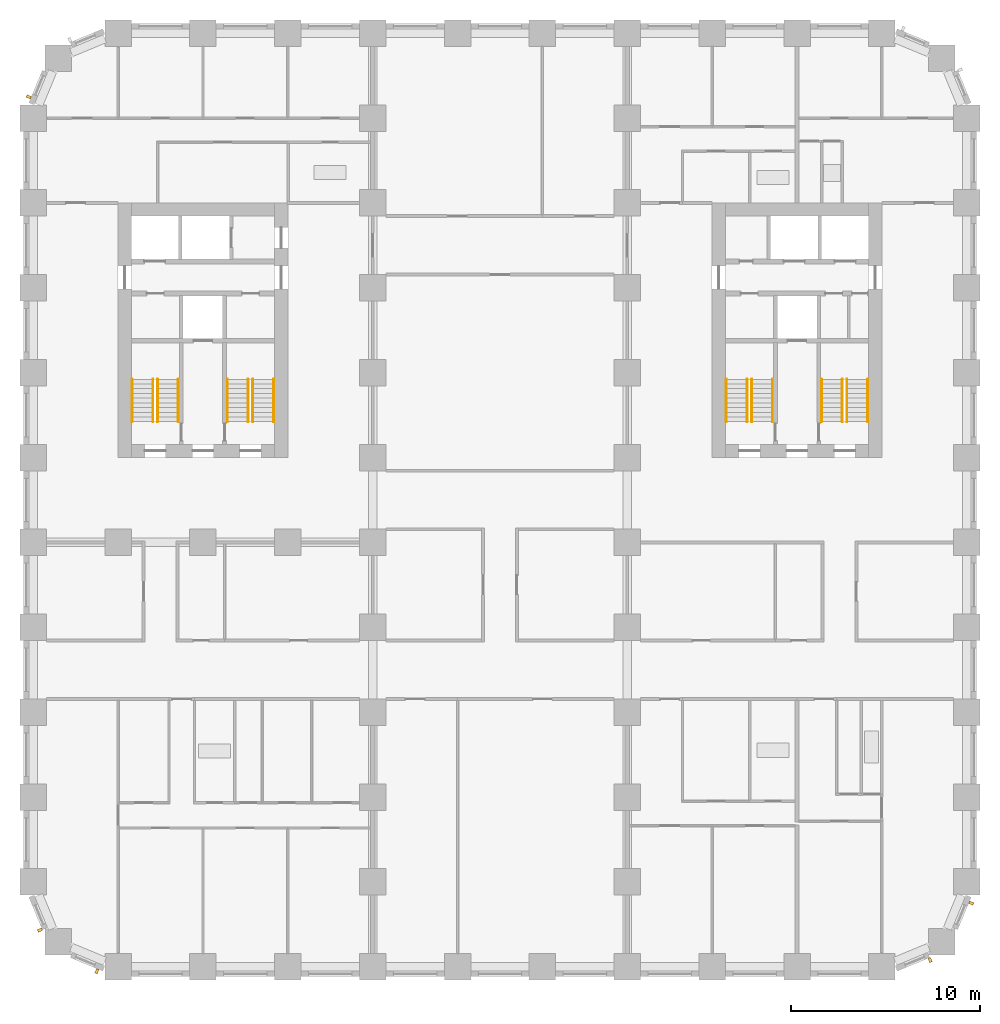
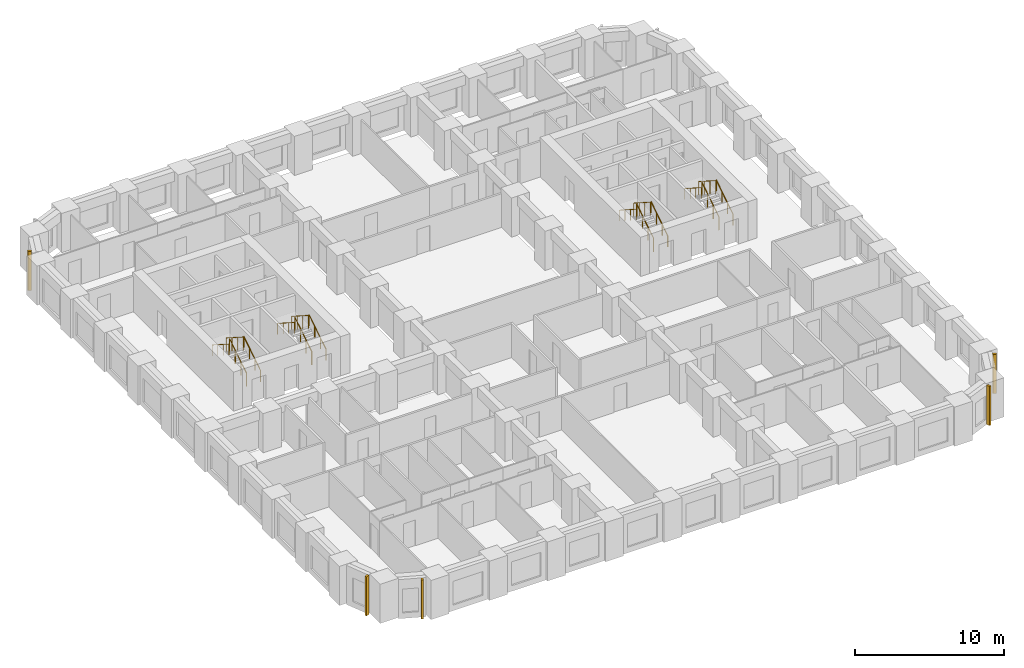
# One storey, part 10 of 12: 16 railings, 5 shading devices.
"""IFC4 building model written with IfcOpenShell, lengths in metres."""

from ifc_helpers import new_model, si_unit, direction, frame, origin, origin_2d, place, context, subcontext, project, spatial, rectangle, circle, extrude, material, type_object, element, save


model = new_model("IFC4")

# Units and contexts
model_context = context("Model", 3, precision=1e-05, world=origin(), true_north=direction((0.0, 1.0)))
body_context = subcontext(model_context, "Body", "Model", "MODEL_VIEW")
ifc_project = project(units=[si_unit("LENGTHUNIT", "METRE"), si_unit("AREAUNIT", "SQUARE_METRE"), si_unit("VOLUMEUNIT", "CUBIC_METRE"), si_unit("PLANEANGLEUNIT", "RADIAN"), si_unit("MASSUNIT", "GRAM", prefix="KILO")], contexts=[model_context])

# Site, building, storey
site_placement = place(None, origin())
site = spatial("IfcSite", under=ifc_project, at=site_placement, CompositionType="ELEMENT")
building_placement = place(site_placement, origin())
building = spatial("IfcBuilding", under=site, at=building_placement, Name="Girih Gate Residences", CompositionType="ELEMENT")
storey_placement = place(building_placement, frame((0.0, 0.0, 65.60009765625)))
storey = spatial("IfcBuildingStorey", under=building, at=storey_placement, Name="L17", CompositionType="ELEMENT", Elevation=65.60009765625)

# Shading devices
ifc_material_1 = material(Name="Precast concrete C50/60", Category="concrete")
shading_device_type = type_object("IfcShadingDeviceType", Name="Corner rib 150x250", PredefinedType="USERDEFINED", material=ifc_material_1)
for number, where, z_axis, x_axis, name in (
    (1, (0.35498046875, 1.9443359375, 0.0), (0.0, 0.0, 1.0), (0.382683432365, -0.923879532511, 0.0), "Corner rib SW0000_0045.0"),
    (2, (3.376220703125, -0.238037109375, 0.0), (0.0, 0.0, 1.0), (0.923879532511, -0.382683432365, 0.0), "Corner rib SW0013_0013.0"),
    (3, (47.5556640625, 0.35498046875, 0.0), (0.0, 0.0, 1.0), (0.923879532511, 0.382683432365, 0.0), "Corner rib SE0450_0000.0"),
    (4, (49.738037109375, 3.376220703125, 0.0), (0.0, 0.0, 1.0), (0.382683432365, 0.923879532511, 0.0), "Corner rib SE0482_0013.0"),
    (5, (-0.238037109375, 46.123779296875, 0.0), (0.0, 0.0, 1.0), (-0.382683432365, -0.923879532511, 0.0), "Corner rib NW0013_0482.0"),
):
    element("IfcShadingDevice", number, at=place(storey_placement, frame(where, z_axis=z_axis, x_axis=x_axis)), inside=storey, type_object=shading_device_type, Name=name, ObjectType="FIN", PredefinedType="USERDEFINED", context=body_context, shape_type="SweptSolid", body=[
        extrude(rectangle(XDim=0.14990234375, YDim=0.25, at=origin_2d()), origin(), (0.0, 0.0, 1.0), 3.199951171875),
    ])

# Railings
ifc_material_2 = material(Name="Stainless steel", Category="steel")
railing_type_1 = type_object("IfcRailingType", Name="Stair guard 1100", PredefinedType="GUARDRAIL", material=ifc_material_2)
railing_1_placement = place(storey_placement, frame((6.60009765625, 28.89990234375, 0.159912109375)))
element("IfcRailing", 6, at=railing_1_placement, inside=storey, type_object=railing_type_1, Name="L17 ST-W1 stair guard 1", PredefinedType="GUARDRAIL", context=body_context, shape_type="SweptSolid", body=[
    extrude(circle(Radius=0.02392578125, at=origin_2d()), frame((0.0, 0.0, 1.076171875), z_axis=(0.0, 0.842281359387, 0.539038135598), x_axis=(-1.0, 0.0, 0.0)), (0.0, 0.0, 1.0), 2.67138671875),
    extrude(circle(Radius=0.02099609375, at=origin_2d()), origin(), (0.0, 0.0, 1.0), 1.052001953125),
    extrude(circle(Radius=0.02099609375, at=origin_2d()), frame((0.0, 0.75, 0.47998046875)), (0.0, 0.0, 1.0), 1.052001953125),
    extrude(circle(Radius=0.02099609375, at=origin_2d()), frame((0.0, 1.5, 0.9599609375)), (0.0, 0.0, 1.0), 1.052001953125),
    extrude(circle(Radius=0.02099609375, at=origin_2d()), frame((0.0, 2.25, 1.43994140625)), (0.0, 0.0, 1.0), 1.052001953125),
])
railing_2_placement = place(storey_placement, frame((6.35009765625, 31.14990234375, 1.760009765625)))
element("IfcRailing", 7, at=railing_2_placement, inside=storey, type_object=railing_type_1, Name="L17 ST-W1 stair guard 2", PredefinedType="GUARDRAIL", context=body_context, shape_type="SweptSolid", body=[
    extrude(circle(Radius=0.02392578125, at=origin_2d()), frame((0.0, 0.0, 1.076171875), z_axis=(0.0, -0.842281359387, 0.539038135598), x_axis=(1.0, 0.0, 0.0)), (0.0, 0.0, 1.0), 2.67138671875),
    extrude(circle(Radius=0.02099609375, at=origin_2d()), origin(), (0.0, 0.0, 1.0), 1.052001953125),
    extrude(circle(Radius=0.02099609375, at=origin_2d()), frame((0.0, -0.75, 0.47998046875)), (0.0, 0.0, 1.0), 1.052001953125),
    extrude(circle(Radius=0.02099609375, at=origin_2d()), frame((0.0, -1.5, 0.9599609375)), (0.0, 0.0, 1.0), 1.052001953125),
    extrude(circle(Radius=0.02099609375, at=origin_2d()), frame((0.0, -2.25, 1.43994140625)), (0.0, 0.0, 1.0), 1.052001953125),
])
railing_3_placement = place(storey_placement, frame((11.64990234375, 28.89990234375, 0.159912109375)))
element("IfcRailing", 8, at=railing_3_placement, inside=storey, type_object=railing_type_1, Name="L17 ST-W2 stair guard 1", PredefinedType="GUARDRAIL", context=body_context, shape_type="SweptSolid", body=[
    extrude(circle(Radius=0.02392578125, at=origin_2d()), frame((0.0, 0.0, 1.076171875), z_axis=(0.0, 0.842281359387, 0.539038135598), x_axis=(-1.0, 0.0, 0.0)), (0.0, 0.0, 1.0), 2.67138671875),
    extrude(circle(Radius=0.02099609375, at=origin_2d()), origin(), (0.0, 0.0, 1.0), 1.052001953125),
    extrude(circle(Radius=0.02099609375, at=origin_2d()), frame((0.0, 0.75, 0.47998046875)), (0.0, 0.0, 1.0), 1.052001953125),
    extrude(circle(Radius=0.02099609375, at=origin_2d()), frame((0.0, 1.5, 0.9599609375)), (0.0, 0.0, 1.0), 1.052001953125),
    extrude(circle(Radius=0.02099609375, at=origin_2d()), frame((0.0, 2.25, 1.43994140625)), (0.0, 0.0, 1.0), 1.052001953125),
])
railing_4_placement = place(storey_placement, frame((11.39990234375, 31.14990234375, 1.760009765625)))
element("IfcRailing", 9, at=railing_4_placement, inside=storey, type_object=railing_type_1, Name="L17 ST-W2 stair guard 2", PredefinedType="GUARDRAIL", context=body_context, shape_type="SweptSolid", body=[
    extrude(circle(Radius=0.02392578125, at=origin_2d()), frame((0.0, 0.0, 1.076171875), z_axis=(0.0, -0.842281359387, 0.539038135598), x_axis=(1.0, 0.0, 0.0)), (0.0, 0.0, 1.0), 2.67138671875),
    extrude(circle(Radius=0.02099609375, at=origin_2d()), origin(), (0.0, 0.0, 1.0), 1.052001953125),
    extrude(circle(Radius=0.02099609375, at=origin_2d()), frame((0.0, -0.75, 0.47998046875)), (0.0, 0.0, 1.0), 1.052001953125),
    extrude(circle(Radius=0.02099609375, at=origin_2d()), frame((0.0, -1.5, 0.9599609375)), (0.0, 0.0, 1.0), 1.052001953125),
    extrude(circle(Radius=0.02099609375, at=origin_2d()), frame((0.0, -2.25, 1.43994140625)), (0.0, 0.0, 1.0), 1.052001953125),
])
railing_5_placement = place(storey_placement, frame((43.14990234375, 28.89990234375, 0.159912109375)))
element("IfcRailing", 10, at=railing_5_placement, inside=storey, type_object=railing_type_1, Name="L17 ST-E1 stair guard 1", PredefinedType="GUARDRAIL", context=body_context, shape_type="SweptSolid", body=[
    extrude(circle(Radius=0.02392578125, at=origin_2d()), frame((0.0, 0.0, 1.076171875), z_axis=(0.0, 0.842281359387, 0.539038135598), x_axis=(-1.0, 0.0, 0.0)), (0.0, 0.0, 1.0), 2.67138671875),
    extrude(circle(Radius=0.02099609375, at=origin_2d()), origin(), (0.0, 0.0, 1.0), 1.052001953125),
    extrude(circle(Radius=0.02099609375, at=origin_2d()), frame((0.0, 0.75, 0.47998046875)), (0.0, 0.0, 1.0), 1.052001953125),
    extrude(circle(Radius=0.02099609375, at=origin_2d()), frame((0.0, 1.5, 0.9599609375)), (0.0, 0.0, 1.0), 1.052001953125),
    extrude(circle(Radius=0.02099609375, at=origin_2d()), frame((0.0, 2.25, 1.43994140625)), (0.0, 0.0, 1.0), 1.052001953125),
])
railing_6_placement = place(storey_placement, frame((42.89990234375, 31.14990234375, 1.760009765625)))
element("IfcRailing", 11, at=railing_6_placement, inside=storey, type_object=railing_type_1, Name="L17 ST-E1 stair guard 2", PredefinedType="GUARDRAIL", context=body_context, shape_type="SweptSolid", body=[
    extrude(circle(Radius=0.02392578125, at=origin_2d()), frame((0.0, 0.0, 1.076171875), z_axis=(0.0, -0.842281359387, 0.539038135598), x_axis=(1.0, 0.0, 0.0)), (0.0, 0.0, 1.0), 2.67138671875),
    extrude(circle(Radius=0.02099609375, at=origin_2d()), origin(), (0.0, 0.0, 1.0), 1.052001953125),
    extrude(circle(Radius=0.02099609375, at=origin_2d()), frame((0.0, -0.75, 0.47998046875)), (0.0, 0.0, 1.0), 1.052001953125),
    extrude(circle(Radius=0.02099609375, at=origin_2d()), frame((0.0, -1.5, 0.9599609375)), (0.0, 0.0, 1.0), 1.052001953125),
    extrude(circle(Radius=0.02099609375, at=origin_2d()), frame((0.0, -2.25, 1.43994140625)), (0.0, 0.0, 1.0), 1.052001953125),
])
railing_7_placement = place(storey_placement, frame((38.10009765625, 28.89990234375, 0.159912109375)))
element("IfcRailing", 12, at=railing_7_placement, inside=storey, type_object=railing_type_1, Name="L17 ST-E2 stair guard 1", PredefinedType="GUARDRAIL", context=body_context, shape_type="SweptSolid", body=[
    extrude(circle(Radius=0.02392578125, at=origin_2d()), frame((0.0, 0.0, 1.076171875), z_axis=(0.0, 0.842281359387, 0.539038135598), x_axis=(-1.0, 0.0, 0.0)), (0.0, 0.0, 1.0), 2.67138671875),
    extrude(circle(Radius=0.02099609375, at=origin_2d()), origin(), (0.0, 0.0, 1.0), 1.052001953125),
    extrude(circle(Radius=0.02099609375, at=origin_2d()), frame((0.0, 0.75, 0.47998046875)), (0.0, 0.0, 1.0), 1.052001953125),
    extrude(circle(Radius=0.02099609375, at=origin_2d()), frame((0.0, 1.5, 0.9599609375)), (0.0, 0.0, 1.0), 1.052001953125),
    extrude(circle(Radius=0.02099609375, at=origin_2d()), frame((0.0, 2.25, 1.43994140625)), (0.0, 0.0, 1.0), 1.052001953125),
])
railing_8_placement = place(storey_placement, frame((37.85009765625, 31.14990234375, 1.760009765625)))
element("IfcRailing", 13, at=railing_8_placement, inside=storey, type_object=railing_type_1, Name="L17 ST-E2 stair guard 2", PredefinedType="GUARDRAIL", context=body_context, shape_type="SweptSolid", body=[
    extrude(circle(Radius=0.02392578125, at=origin_2d()), frame((0.0, 0.0, 1.076171875), z_axis=(0.0, -0.842281359387, 0.539038135598), x_axis=(1.0, 0.0, 0.0)), (0.0, 0.0, 1.0), 2.67138671875),
    extrude(circle(Radius=0.02099609375, at=origin_2d()), origin(), (0.0, 0.0, 1.0), 1.052001953125),
    extrude(circle(Radius=0.02099609375, at=origin_2d()), frame((0.0, -0.75, 0.47998046875)), (0.0, 0.0, 1.0), 1.052001953125),
    extrude(circle(Radius=0.02099609375, at=origin_2d()), frame((0.0, -1.5, 0.9599609375)), (0.0, 0.0, 1.0), 1.052001953125),
    extrude(circle(Radius=0.02099609375, at=origin_2d()), frame((0.0, -2.25, 1.43994140625)), (0.0, 0.0, 1.0), 1.052001953125),
])
railing_type_2 = type_object("IfcRailingType", Name="Stair handrail 900", PredefinedType="HANDRAIL", material=ifc_material_2)
railing_9_placement = place(storey_placement, frame((7.699951171875, 28.89990234375, 0.159912109375)))
element("IfcRailing", 14, at=railing_9_placement, inside=storey, type_object=railing_type_2, Name="L17 ST-W1 stair handrail 1", PredefinedType="HANDRAIL", context=body_context, shape_type="SweptSolid", body=[
    extrude(circle(Radius=0.02392578125, at=origin_2d()), frame((0.0, 0.0, 0.8857421875), z_axis=(0.0, 0.842281359387, 0.539038135598), x_axis=(-1.0, 0.0, 0.0)), (0.0, 0.0, 1.0), 2.67138671875),
    extrude(circle(Radius=0.02099609375, at=origin_2d()), origin(), (0.0, 0.0, 1.0), 0.86181640625),
    extrude(circle(Radius=0.02099609375, at=origin_2d()), frame((0.0, 0.75, 0.47998046875)), (0.0, 0.0, 1.0), 0.86181640625),
    extrude(circle(Radius=0.02099609375, at=origin_2d()), frame((0.0, 1.5, 0.9599609375)), (0.0, 0.0, 1.0), 0.86181640625),
    extrude(circle(Radius=0.02099609375, at=origin_2d()), frame((0.0, 2.25, 1.43994140625)), (0.0, 0.0, 1.0), 0.86181640625),
])
railing_10_placement = place(storey_placement, frame((5.25, 31.14990234375, 1.760009765625)))
element("IfcRailing", 15, at=railing_10_placement, inside=storey, type_object=railing_type_2, Name="L17 ST-W1 stair handrail 2", PredefinedType="HANDRAIL", context=body_context, shape_type="SweptSolid", body=[
    extrude(circle(Radius=0.02392578125, at=origin_2d()), frame((0.0, 0.0, 0.8857421875), z_axis=(0.0, -0.842281359387, 0.539038135598), x_axis=(1.0, 0.0, 0.0)), (0.0, 0.0, 1.0), 2.67138671875),
    extrude(circle(Radius=0.02099609375, at=origin_2d()), origin(), (0.0, 0.0, 1.0), 0.86181640625),
    extrude(circle(Radius=0.02099609375, at=origin_2d()), frame((0.0, -0.75, 0.47998046875)), (0.0, 0.0, 1.0), 0.86181640625),
    extrude(circle(Radius=0.02099609375, at=origin_2d()), frame((0.0, -1.5, 0.9599609375)), (0.0, 0.0, 1.0), 0.86181640625),
    extrude(circle(Radius=0.02099609375, at=origin_2d()), frame((0.0, -2.25, 1.43994140625)), (0.0, 0.0, 1.0), 0.86181640625),
])
railing_11_placement = place(storey_placement, frame((12.75, 28.89990234375, 0.159912109375)))
element("IfcRailing", 16, at=railing_11_placement, inside=storey, type_object=railing_type_2, Name="L17 ST-W2 stair handrail 1", PredefinedType="HANDRAIL", context=body_context, shape_type="SweptSolid", body=[
    extrude(circle(Radius=0.02392578125, at=origin_2d()), frame((0.0, 0.0, 0.8857421875), z_axis=(0.0, 0.842281359387, 0.539038135598), x_axis=(-1.0, 0.0, 0.0)), (0.0, 0.0, 1.0), 2.67138671875),
    extrude(circle(Radius=0.02099609375, at=origin_2d()), origin(), (0.0, 0.0, 1.0), 0.86181640625),
    extrude(circle(Radius=0.02099609375, at=origin_2d()), frame((0.0, 0.75, 0.47998046875)), (0.0, 0.0, 1.0), 0.86181640625),
    extrude(circle(Radius=0.02099609375, at=origin_2d()), frame((0.0, 1.5, 0.9599609375)), (0.0, 0.0, 1.0), 0.86181640625),
    extrude(circle(Radius=0.02099609375, at=origin_2d()), frame((0.0, 2.25, 1.43994140625)), (0.0, 0.0, 1.0), 0.86181640625),
])
railing_12_placement = place(storey_placement, frame((10.300048828125, 31.14990234375, 1.760009765625)))
element("IfcRailing", 17, at=railing_12_placement, inside=storey, type_object=railing_type_2, Name="L17 ST-W2 stair handrail 2", PredefinedType="HANDRAIL", context=body_context, shape_type="SweptSolid", body=[
    extrude(circle(Radius=0.02392578125, at=origin_2d()), frame((0.0, 0.0, 0.8857421875), z_axis=(0.0, -0.842281359387, 0.539038135598), x_axis=(1.0, 0.0, 0.0)), (0.0, 0.0, 1.0), 2.67138671875),
    extrude(circle(Radius=0.02099609375, at=origin_2d()), origin(), (0.0, 0.0, 1.0), 0.86181640625),
    extrude(circle(Radius=0.02099609375, at=origin_2d()), frame((0.0, -0.75, 0.47998046875)), (0.0, 0.0, 1.0), 0.86181640625),
    extrude(circle(Radius=0.02099609375, at=origin_2d()), frame((0.0, -1.5, 0.9599609375)), (0.0, 0.0, 1.0), 0.86181640625),
    extrude(circle(Radius=0.02099609375, at=origin_2d()), frame((0.0, -2.25, 1.43994140625)), (0.0, 0.0, 1.0), 0.86181640625),
])
railing_13_placement = place(storey_placement, frame((44.25, 28.89990234375, 0.159912109375)))
element("IfcRailing", 18, at=railing_13_placement, inside=storey, type_object=railing_type_2, Name="L17 ST-E1 stair handrail 1", PredefinedType="HANDRAIL", context=body_context, shape_type="SweptSolid", body=[
    extrude(circle(Radius=0.02392578125, at=origin_2d()), frame((0.0, 0.0, 0.8857421875), z_axis=(0.0, 0.842281359387, 0.539038135598), x_axis=(-1.0, 0.0, 0.0)), (0.0, 0.0, 1.0), 2.67138671875),
    extrude(circle(Radius=0.02099609375, at=origin_2d()), origin(), (0.0, 0.0, 1.0), 0.86181640625),
    extrude(circle(Radius=0.02099609375, at=origin_2d()), frame((0.0, 0.75, 0.47998046875)), (0.0, 0.0, 1.0), 0.86181640625),
    extrude(circle(Radius=0.02099609375, at=origin_2d()), frame((0.0, 1.5, 0.9599609375)), (0.0, 0.0, 1.0), 0.86181640625),
    extrude(circle(Radius=0.02099609375, at=origin_2d()), frame((0.0, 2.25, 1.43994140625)), (0.0, 0.0, 1.0), 0.86181640625),
])
railing_14_placement = place(storey_placement, frame((41.800048828125, 31.14990234375, 1.760009765625)))
element("IfcRailing", 19, at=railing_14_placement, inside=storey, type_object=railing_type_2, Name="L17 ST-E1 stair handrail 2", PredefinedType="HANDRAIL", context=body_context, shape_type="SweptSolid", body=[
    extrude(circle(Radius=0.02392578125, at=origin_2d()), frame((0.0, 0.0, 0.8857421875), z_axis=(0.0, -0.842281359387, 0.539038135598), x_axis=(1.0, 0.0, 0.0)), (0.0, 0.0, 1.0), 2.67138671875),
    extrude(circle(Radius=0.02099609375, at=origin_2d()), origin(), (0.0, 0.0, 1.0), 0.86181640625),
    extrude(circle(Radius=0.02099609375, at=origin_2d()), frame((0.0, -0.75, 0.47998046875)), (0.0, 0.0, 1.0), 0.86181640625),
    extrude(circle(Radius=0.02099609375, at=origin_2d()), frame((0.0, -1.5, 0.9599609375)), (0.0, 0.0, 1.0), 0.86181640625),
    extrude(circle(Radius=0.02099609375, at=origin_2d()), frame((0.0, -2.25, 1.43994140625)), (0.0, 0.0, 1.0), 0.86181640625),
])
railing_15_placement = place(storey_placement, frame((39.199951171875, 28.89990234375, 0.159912109375)))
element("IfcRailing", 20, at=railing_15_placement, inside=storey, type_object=railing_type_2, Name="L17 ST-E2 stair handrail 1", PredefinedType="HANDRAIL", context=body_context, shape_type="SweptSolid", body=[
    extrude(circle(Radius=0.02392578125, at=origin_2d()), frame((0.0, 0.0, 0.8857421875), z_axis=(0.0, 0.842281359387, 0.539038135598), x_axis=(-1.0, 0.0, 0.0)), (0.0, 0.0, 1.0), 2.67138671875),
    extrude(circle(Radius=0.02099609375, at=origin_2d()), origin(), (0.0, 0.0, 1.0), 0.86181640625),
    extrude(circle(Radius=0.02099609375, at=origin_2d()), frame((0.0, 0.75, 0.47998046875)), (0.0, 0.0, 1.0), 0.86181640625),
    extrude(circle(Radius=0.02099609375, at=origin_2d()), frame((0.0, 1.5, 0.9599609375)), (0.0, 0.0, 1.0), 0.86181640625),
    extrude(circle(Radius=0.02099609375, at=origin_2d()), frame((0.0, 2.25, 1.43994140625)), (0.0, 0.0, 1.0), 0.86181640625),
])
railing_16_placement = place(storey_placement, frame((36.75, 31.14990234375, 1.760009765625)))
element("IfcRailing", 21, at=railing_16_placement, inside=storey, type_object=railing_type_2, Name="L17 ST-E2 stair handrail 2", PredefinedType="HANDRAIL", context=body_context, shape_type="SweptSolid", body=[
    extrude(circle(Radius=0.02392578125, at=origin_2d()), frame((0.0, 0.0, 0.8857421875), z_axis=(0.0, -0.842281359387, 0.539038135598), x_axis=(1.0, 0.0, 0.0)), (0.0, 0.0, 1.0), 2.67138671875),
    extrude(circle(Radius=0.02099609375, at=origin_2d()), origin(), (0.0, 0.0, 1.0), 0.86181640625),
    extrude(circle(Radius=0.02099609375, at=origin_2d()), frame((0.0, -0.75, 0.47998046875)), (0.0, 0.0, 1.0), 0.86181640625),
    extrude(circle(Radius=0.02099609375, at=origin_2d()), frame((0.0, -1.5, 0.9599609375)), (0.0, 0.0, 1.0), 0.86181640625),
    extrude(circle(Radius=0.02099609375, at=origin_2d()), frame((0.0, -2.25, 1.43994140625)), (0.0, 0.0, 1.0), 0.86181640625),
])

save(model, "model.ifc")
